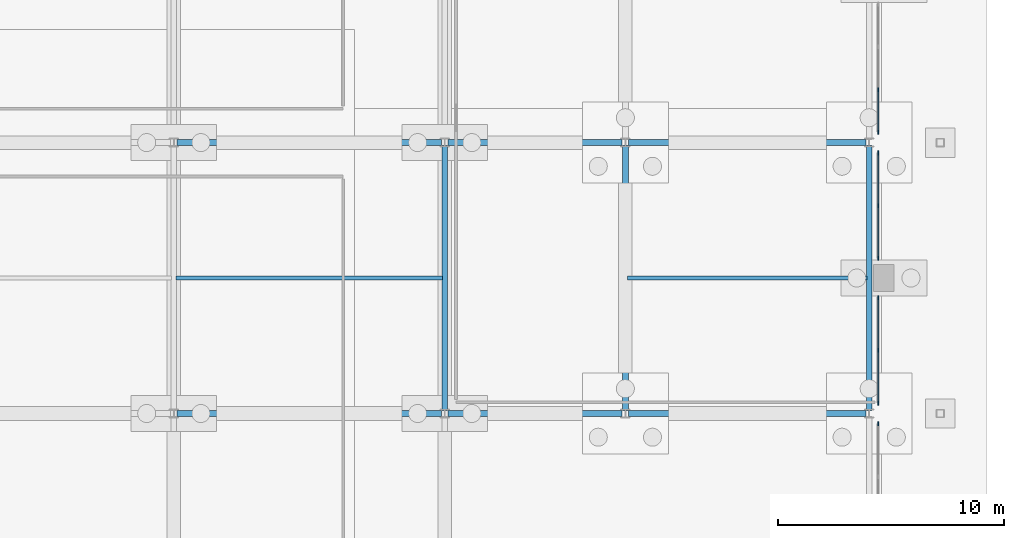
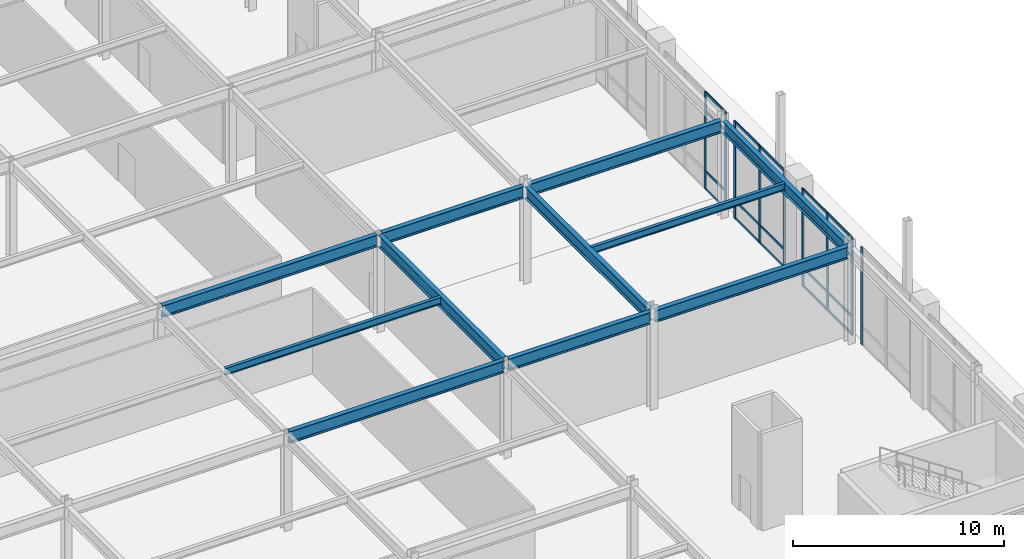
# One storey, part 65 of 143: 29 members, 11 beams, 4 elements without a shape of their own.
"""IFC4 building model written with IfcOpenShell, lengths in metres."""

from ifc_helpers import new_model, si_unit, derived_unit, direction, frame, origin, origin_2d, place, context, subcontext, project, spatial, rectangle, i_section, extrude, material, layer, layer_set, material_profile, profile_set, type_object, element, aggregate, save


model = new_model("IFC4")

# Units and contexts
model_context = context("Model", 3, precision=1e-05, world=origin(), true_north=direction((0.0, 1.0)))
body_context = subcontext(model_context, "Body", "Model", "MODEL_VIEW")
ifc_project = project(units=[si_unit("LENGTHUNIT", "METRE"), si_unit("AREAUNIT", "SQUARE_METRE"), si_unit("VOLUMEUNIT", "CUBIC_METRE"), si_unit("PLANEANGLEUNIT", "RADIAN"), si_unit("MASSUNIT", "GRAM", prefix="KILO"), derived_unit("THERMALTRANSMITTANCEUNIT", [(si_unit("MASSUNIT", "GRAM", prefix="KILO"), 1), (si_unit("TIMEUNIT", "SECOND"), -3), (si_unit("THERMODYNAMICTEMPERATUREUNIT", "KELVIN"), -1)])], contexts=[model_context])

# Site, building, storey
site_placement = place(None, origin())
site = spatial("IfcSite", under=ifc_project, at=site_placement, CompositionType="ELEMENT")
building_placement = place(site_placement, origin())
building = spatial("IfcBuilding", under=site, at=building_placement, Name="Valcora Ridge Arena", CompositionType="ELEMENT")
storey_placement = place(building_placement, origin())
storey = spatial("IfcBuildingStorey", under=building, at=storey_placement, Name="L00", CompositionType="ELEMENT", Elevation=0.0)

# Beams
ifc_material_1 = material(Name="Steel ASTM A572 Grade 50", Category="steel")
ifc_material_profile_1 = material_profile(ifc_material_1, i_section(OverallWidth=0.256103515625, OverallDepth=0.693115234375, WebThickness=0.014404296875, FlangeThickness=0.023681640625, FilletRadius=0.02001953125, at=origin_2d()), Name="W27X114")
ifc_profile_set_1 = profile_set([ifc_material_profile_1], Name="Steel ASTM A572 Grade 50")
beam_type_1 = type_object("IfcBeamType", Name="TY-BEAM-G-W27X114-X", PredefinedType="BEAM", material=ifc_profile_set_1)
beam_1_placement = place(storey_placement, frame((156.139892578125, 28.0, 5.2734375), z_axis=(1.0, 0.0, 0.0), x_axis=(0.0, 1.0, 0.0)))
element("IfcBeam", 1, at=beam_1_placement, inside=storey, type_object=beam_type_1, Name="G-W27X114-X BEM-G-W27X114-X-0006", PredefinedType="BEAM", context=body_context, shape_type="SweptSolid", body=[
    extrude(i_section(OverallWidth=0.256103515625, OverallDepth=0.693115234375, WebThickness=0.014404296875, FlangeThickness=0.023681640625, FilletRadius=0.02001953125, at=origin_2d()), origin(), (0.0, 0.0, 1.0), 11.72021484375),
])
beam_2_placement = place(storey_placement, frame((168.139892578125, 28.0, 5.2734375), z_axis=(1.0, 0.0, 0.0), x_axis=(0.0, 1.0, 0.0)))
element("IfcBeam", 2, at=beam_2_placement, inside=storey, type_object=beam_type_1, Name="G-W27X114-X BEM-G-W27X114-X-0007", PredefinedType="BEAM", context=body_context, shape_type="SweptSolid", body=[
    extrude(i_section(OverallWidth=0.256103515625, OverallDepth=0.693115234375, WebThickness=0.014404296875, FlangeThickness=0.023681640625, FilletRadius=0.02001953125, at=origin_2d()), origin(), (0.0, 0.0, 1.0), 7.72021484375),
])
beam_3_placement = place(storey_placement, frame((176.139892578125, 28.0, 5.2734375), z_axis=(1.0, 0.0, 0.0), x_axis=(0.0, 1.0, 0.0)))
element("IfcBeam", 3, at=beam_3_placement, inside=storey, type_object=beam_type_1, Name="G-W27X114-X BEM-G-W27X114-X-0008", PredefinedType="BEAM", context=body_context, shape_type="SweptSolid", body=[
    extrude(i_section(OverallWidth=0.256103515625, OverallDepth=0.693115234375, WebThickness=0.014404296875, FlangeThickness=0.023681640625, FilletRadius=0.02001953125, at=origin_2d()), origin(), (0.0, 0.0, 1.0), 10.52001953125),
])
beam_4_placement = place(storey_placement, frame((156.139892578125, 40.0, 5.2734375), z_axis=(1.0, 0.0, 0.0), x_axis=(0.0, 1.0, 0.0)))
element("IfcBeam", 4, at=beam_4_placement, inside=storey, type_object=beam_type_1, Name="G-W27X114-X BEM-G-W27X114-X-0011", PredefinedType="BEAM", context=body_context, shape_type="SweptSolid", body=[
    extrude(i_section(OverallWidth=0.256103515625, OverallDepth=0.693115234375, WebThickness=0.014404296875, FlangeThickness=0.023681640625, FilletRadius=0.02001953125, at=origin_2d()), origin(), (0.0, 0.0, 1.0), 11.72021484375),
])
beam_5_placement = place(storey_placement, frame((168.139892578125, 40.0, 5.2734375), z_axis=(1.0, 0.0, 0.0), x_axis=(0.0, 1.0, 0.0)))
element("IfcBeam", 5, at=beam_5_placement, inside=storey, type_object=beam_type_1, Name="G-W27X114-X BEM-G-W27X114-X-0012", PredefinedType="BEAM", context=body_context, shape_type="SweptSolid", body=[
    extrude(i_section(OverallWidth=0.256103515625, OverallDepth=0.693115234375, WebThickness=0.014404296875, FlangeThickness=0.023681640625, FilletRadius=0.02001953125, at=origin_2d()), origin(), (0.0, 0.0, 1.0), 7.72021484375),
])
beam_6_placement = place(storey_placement, frame((176.139892578125, 40.0, 5.2734375), z_axis=(1.0, 0.0, 0.0), x_axis=(0.0, 1.0, 0.0)))
element("IfcBeam", 6, at=beam_6_placement, inside=storey, type_object=beam_type_1, Name="G-W27X114-X BEM-G-W27X114-X-0013", PredefinedType="BEAM", context=body_context, shape_type="SweptSolid", body=[
    extrude(i_section(OverallWidth=0.256103515625, OverallDepth=0.693115234375, WebThickness=0.014404296875, FlangeThickness=0.023681640625, FilletRadius=0.02001953125, at=origin_2d()), origin(), (0.0, 0.0, 1.0), 10.52001953125),
])
ifc_material_profile_2 = material_profile(ifc_material_1, i_section(OverallWidth=0.256103515625, OverallDepth=0.693115234375, WebThickness=0.014404296875, FlangeThickness=0.023681640625, FilletRadius=0.02001953125, at=origin_2d()), Name="W27X114")
ifc_profile_set_2 = profile_set([ifc_material_profile_2], Name="Steel ASTM A572 Grade 50")
beam_type_2 = type_object("IfcBeamType", Name="TY-BEAM-G-W27X114-Y", PredefinedType="BEAM", material=ifc_profile_set_2)
for number, where, z_axis, x_axis, name in (
    (7, (168.0, 28.139892578125, 5.2734375), (0.0, 1.0, 0.0), (-1.0, 0.0, 0.0), "G-W27X114-Y BEM-G-W27X114-Y-0020"),
    (8, (176.0, 28.139892578125, 5.2734375), (0.0, 1.0, 0.0), (-1.0, 0.0, 0.0), "G-W27X114-Y BEM-G-W27X114-Y-0024"),
    (9, (186.800048828125, 28.139892578125, 5.2734375), (0.0, 1.0, 0.0), (-1.0, 0.0, 0.0), "G-W27X114-Y BEM-G-W27X114-Y-0030"),
):
    element("IfcBeam", number, at=place(storey_placement, frame(where, z_axis=z_axis, x_axis=x_axis)), inside=storey, type_object=beam_type_2, Name=name, PredefinedType="BEAM", context=body_context, shape_type="SweptSolid", body=[
        extrude(i_section(OverallWidth=0.256103515625, OverallDepth=0.693115234375, WebThickness=0.014404296875, FlangeThickness=0.023681640625, FilletRadius=0.02001953125, at=origin_2d()), origin(), (0.0, 0.0, 1.0), 11.72021484375),
    ])
ifc_material_profile_3 = material_profile(ifc_material_1, i_section(OverallWidth=0.177978515625, OverallDepth=0.406005859375, WebThickness=0.0078125, FlangeThickness=0.0126953125, FilletRadius=0.013916015625, at=origin_2d()), Name="W16X40")
ifc_profile_set_3 = profile_set([ifc_material_profile_3], Name="Steel ASTM A572 Grade 50")
beam_type_3 = type_object("IfcBeamType", Name="TY-BEAM-J-W16X40", PredefinedType="JOIST", material=ifc_profile_set_3)
beam_7_placement = place(storey_placement, frame((156.10009765625, 34.0, 5.4169921875), z_axis=(1.0, 0.0, 0.0), x_axis=(0.0, 1.0, 0.0)))
element("IfcBeam", 10, at=beam_7_placement, inside=storey, type_object=beam_type_3, Name="J-W16X40 BEM-J-W16X40-0008", PredefinedType="JOIST", context=body_context, shape_type="SweptSolid", body=[
    extrude(i_section(OverallWidth=0.177978515625, OverallDepth=0.406005859375, WebThickness=0.0078125, FlangeThickness=0.0126953125, FilletRadius=0.013916015625, at=origin_2d()), origin(), (0.0, 0.0, 1.0), 11.7998046875),
])
beam_8_placement = place(storey_placement, frame((176.10009765625, 34.0, 5.4169921875), z_axis=(1.0, 0.0, 0.0), x_axis=(0.0, 1.0, 0.0)))
element("IfcBeam", 11, at=beam_8_placement, inside=storey, type_object=beam_type_3, Name="J-W16X40 BEM-J-W16X40-0011", PredefinedType="JOIST", context=body_context, shape_type="SweptSolid", body=[
    extrude(i_section(OverallWidth=0.177978515625, OverallDepth=0.406005859375, WebThickness=0.0078125, FlangeThickness=0.0126953125, FilletRadius=0.013916015625, at=origin_2d()), origin(), (0.0, 0.0, 1.0), 10.599853515625),
])

# Curtain wall, member
ifc_material_2 = material(Name="Anodised dark bronze architectural aluminium 6063-T6", Category="aluminium")
ifc_layer_1 = layer(ifc_material_2, 0.179931640625, Name="Anodised dark bronze architectural aluminium 6063-T6")
ifc_layer_set_1 = layer_set([ifc_layer_1], Name="Anodised dark bronze architectural aluminium 6063-T6")
curtain_wall_type_1 = type_object("IfcCurtainWallType", Name="TY-CURTAINWALL-CW-V2-GLAZ-047X56", PredefinedType="NOTDEFINED", material=ifc_layer_set_1)
curtain_wall_1_placement = place(storey_placement, origin())
curtain_wall_1 = element("IfcCurtainWall", 12, at=curtain_wall_1_placement, inside=storey, type_object=curtain_wall_type_1, Name="CW-V2-GLAZ-047X56 CW-0029", PredefinedType="NOTDEFINED")
ifc_material_profile_4 = material_profile(ifc_material_2, rectangle(XDim=0.06005859375, YDim=0.179931640625, at=origin_2d()), Name="ALU MULLION 60x180")
ifc_profile_set_4 = profile_set([ifc_material_profile_4], Name="Anodised dark bronze architectural aluminium 6063-T6")
member_type_1 = type_object("IfcMemberType", Name="TY-MEM-CWM-60x180", PredefinedType="MULLION", material=ifc_profile_set_4)
member_1_placement = place(storey_placement, frame((187.199951171875, 27.537109375, 0.0), z_axis=(0.0, 0.0, 1.0), x_axis=(-1.0, 0.0, 0.0)))
member_1 = element("IfcMember", 13, at=member_1_placement, type_object=member_type_1, Name="CW-0029/CWM-60x180/M02", PredefinedType="MULLION", context=body_context, shape_type="SweptSolid", body=[
    extrude(rectangle(XDim=0.06005859375, YDim=0.179931640625, at=origin_2d()), origin(), (0.0, 0.0, 1.0), 5.6201171875),
])
aggregate(curtain_wall_1, [member_1])

# Curtain wall, members
curtain_wall_2_placement = place(storey_placement, origin())
curtain_wall_2 = element("IfcCurtainWall", 14, at=curtain_wall_2_placement, inside=storey, type_object=curtain_wall_type_1, Name="CW-V2-GLAZ-047X56 CW-0030", PredefinedType="NOTDEFINED")
member_2_placement = place(storey_placement, frame((187.199951171875, 28.462890625, 0.0), z_axis=(0.0, 0.0, 1.0), x_axis=(-1.0, 0.0, 0.0)))
member_2 = element("IfcMember", 15, at=member_2_placement, type_object=member_type_1, Name="CW-0030/CWM-60x180/M00", PredefinedType="MULLION", context=body_context, shape_type="SweptSolid", body=[
    extrude(rectangle(XDim=0.06005859375, YDim=0.179931640625, at=origin_2d()), origin(), (0.0, 0.0, 1.0), 5.6201171875),
])
member_3_placement = place(storey_placement, frame((187.199951171875, 30.79638671875, 0.0), z_axis=(0.0, 0.0, 1.0), x_axis=(-1.0, 0.0, 0.0)))
member_3 = element("IfcMember", 16, at=member_3_placement, type_object=member_type_1, Name="CW-0030/CWM-60x180/M01", PredefinedType="MULLION", context=body_context, shape_type="SweptSolid", body=[
    extrude(rectangle(XDim=0.06005859375, YDim=0.179931640625, at=origin_2d()), origin(), (0.0, 0.0, 1.0), 5.6201171875),
])
member_4_placement = place(storey_placement, frame((187.199951171875, 33.1298828125, 0.0), z_axis=(0.0, 0.0, 1.0), x_axis=(-1.0, 0.0, 0.0)))
member_4 = element("IfcMember", 17, at=member_4_placement, type_object=member_type_1, Name="CW-0030/CWM-60x180/M02", PredefinedType="MULLION", context=body_context, shape_type="SweptSolid", body=[
    extrude(rectangle(XDim=0.06005859375, YDim=0.179931640625, at=origin_2d()), origin(), (0.0, 0.0, 1.0), 5.6201171875),
])

curtain_wall_3_placement = place(storey_placement, origin())
curtain_wall_3 = element("IfcCurtainWall", 18, at=curtain_wall_3_placement, inside=storey, type_object=curtain_wall_type_1, Name="CW-V2-GLAZ-047X56 CW-0031", PredefinedType="NOTDEFINED")
member_5_placement = place(storey_placement, frame((187.199951171875, 34.8701171875, 0.0), z_axis=(0.0, 0.0, 1.0), x_axis=(-1.0, 0.0, 0.0)))
member_5 = element("IfcMember", 19, at=member_5_placement, type_object=member_type_1, Name="CW-0031/CWM-60x180/M00", PredefinedType="MULLION", context=body_context, shape_type="SweptSolid", body=[
    extrude(rectangle(XDim=0.06005859375, YDim=0.179931640625, at=origin_2d()), origin(), (0.0, 0.0, 1.0), 5.6201171875),
])
member_6_placement = place(storey_placement, frame((187.199951171875, 37.20361328125, 0.0), z_axis=(0.0, 0.0, 1.0), x_axis=(-1.0, 0.0, 0.0)))
member_6 = element("IfcMember", 20, at=member_6_placement, type_object=member_type_1, Name="CW-0031/CWM-60x180/M01", PredefinedType="MULLION", context=body_context, shape_type="SweptSolid", body=[
    extrude(rectangle(XDim=0.06005859375, YDim=0.179931640625, at=origin_2d()), origin(), (0.0, 0.0, 1.0), 5.6201171875),
])
member_7_placement = place(storey_placement, frame((187.199951171875, 39.537109375, 0.0), z_axis=(0.0, 0.0, 1.0), x_axis=(-1.0, 0.0, 0.0)))
member_7 = element("IfcMember", 21, at=member_7_placement, type_object=member_type_1, Name="CW-0031/CWM-60x180/M02", PredefinedType="MULLION", context=body_context, shape_type="SweptSolid", body=[
    extrude(rectangle(XDim=0.06005859375, YDim=0.179931640625, at=origin_2d()), origin(), (0.0, 0.0, 1.0), 5.6201171875),
])

ifc_layer_2 = layer(ifc_material_2, 0.179931640625, Name="Anodised dark bronze architectural aluminium 6063-T6")
ifc_layer_set_2 = layer_set([ifc_layer_2], Name="Anodised dark bronze architectural aluminium 6063-T6")
curtain_wall_type_2 = type_object("IfcCurtainWallType", Name="TY-CURTAINWALL-CW-V2-GLAZ-057X56", PredefinedType="NOTDEFINED", material=ifc_layer_set_2)
curtain_wall_4_placement = place(storey_placement, origin())
curtain_wall_4 = element("IfcCurtainWall", 22, at=curtain_wall_4_placement, inside=storey, type_object=curtain_wall_type_2, Name="CW-V2-GLAZ-057X56 CW-0032", PredefinedType="NOTDEFINED")
member_8_placement = place(storey_placement, frame((187.199951171875, 40.462890625, 0.0), z_axis=(0.0, 0.0, 1.0), x_axis=(-1.0, 0.0, 0.0)))
member_8 = element("IfcMember", 23, at=member_8_placement, type_object=member_type_1, Name="CW-0032/CWM-60x180/M00", PredefinedType="MULLION", context=body_context, shape_type="SweptSolid", body=[
    extrude(rectangle(XDim=0.06005859375, YDim=0.179931640625, at=origin_2d()), origin(), (0.0, 0.0, 1.0), 5.6201171875),
])
member_9_placement = place(storey_placement, frame((187.199951171875, 42.342041015625, 0.0), z_axis=(0.0, 0.0, 1.0), x_axis=(-1.0, 0.0, 0.0)))
member_9 = element("IfcMember", 24, at=member_9_placement, type_object=member_type_1, Name="CW-0032/CWM-60x180/M01", PredefinedType="MULLION", context=body_context, shape_type="SweptSolid", body=[
    extrude(rectangle(XDim=0.06005859375, YDim=0.179931640625, at=origin_2d()), origin(), (0.0, 0.0, 1.0), 5.6201171875),
])

# Member
ifc_material_profile_5 = material_profile(ifc_material_2, rectangle(XDim=0.050048828125, YDim=0.14990234375, at=origin_2d()), Name="ALU TRANSOM 50x150")
ifc_profile_set_5 = profile_set([ifc_material_profile_5], Name="Anodised dark bronze architectural aluminium 6063-T6")
member_type_2 = type_object("IfcMemberType", Name="TY-MEM-CWT-50x150", PredefinedType="USERDEFINED", material=ifc_profile_set_5)
member_10_placement = place(storey_placement, frame((187.199951171875, 28.492919921875, 0.02490234375), z_axis=(0.0, 1.0, 0.0), x_axis=(-1.0, 0.0, 0.0)))
member_10 = element("IfcMember", 25, at=member_10_placement, type_object=member_type_2, Name="CW-0030/CWT-50x150/T00-00", ObjectType="TRANSOM", PredefinedType="USERDEFINED", context=body_context, shape_type="SweptSolid", body=[
    extrude(rectangle(XDim=0.050048828125, YDim=0.14990234375, at=origin_2d()), origin(), (0.0, 0.0, 1.0), 2.274169921875),
])

member_11_placement = place(storey_placement, frame((187.199951171875, 28.492919921875, 1.050048828125), z_axis=(0.0, 1.0, 0.0), x_axis=(-1.0, 0.0, 0.0)))
member_11 = element("IfcMember", 26, at=member_11_placement, type_object=member_type_2, Name="CW-0030/CWT-50x150/T00-01", ObjectType="TRANSOM", PredefinedType="USERDEFINED", context=body_context, shape_type="SweptSolid", body=[
    extrude(rectangle(XDim=0.050048828125, YDim=0.14990234375, at=origin_2d()), origin(), (0.0, 0.0, 1.0), 2.274169921875),
])

member_12_placement = place(storey_placement, frame((187.199951171875, 28.492919921875, 4.52001953125), z_axis=(0.0, 1.0, 0.0), x_axis=(-1.0, 0.0, 0.0)))
member_12 = element("IfcMember", 27, at=member_12_placement, type_object=member_type_2, Name="CW-0030/CWT-50x150/T00-02", ObjectType="TRANSOM", PredefinedType="USERDEFINED", context=body_context, shape_type="SweptSolid", body=[
    extrude(rectangle(XDim=0.050048828125, YDim=0.14990234375, at=origin_2d()), origin(), (0.0, 0.0, 1.0), 2.274169921875),
])

member_13_placement = place(storey_placement, frame((187.199951171875, 28.492919921875, 5.594970703125), z_axis=(0.0, 1.0, 0.0), x_axis=(-1.0, 0.0, 0.0)))
member_13 = element("IfcMember", 28, at=member_13_placement, type_object=member_type_2, Name="CW-0030/CWT-50x150/T00-03", ObjectType="TRANSOM", PredefinedType="USERDEFINED", context=body_context, shape_type="SweptSolid", body=[
    extrude(rectangle(XDim=0.050048828125, YDim=0.14990234375, at=origin_2d()), origin(), (0.0, 0.0, 1.0), 2.274169921875),
])

member_14_placement = place(storey_placement, frame((187.199951171875, 30.825927734375, 0.02490234375), z_axis=(0.0, 1.0, 0.0), x_axis=(-1.0, 0.0, 0.0)))
member_14 = element("IfcMember", 29, at=member_14_placement, type_object=member_type_2, Name="CW-0030/CWT-50x150/T01-00", ObjectType="TRANSOM", PredefinedType="USERDEFINED", context=body_context, shape_type="SweptSolid", body=[
    extrude(rectangle(XDim=0.050048828125, YDim=0.14990234375, at=origin_2d()), origin(), (0.0, 0.0, 1.0), 2.274169921875),
])

member_15_placement = place(storey_placement, frame((187.199951171875, 30.825927734375, 1.050048828125), z_axis=(0.0, 1.0, 0.0), x_axis=(-1.0, 0.0, 0.0)))
member_15 = element("IfcMember", 30, at=member_15_placement, type_object=member_type_2, Name="CW-0030/CWT-50x150/T01-01", ObjectType="TRANSOM", PredefinedType="USERDEFINED", context=body_context, shape_type="SweptSolid", body=[
    extrude(rectangle(XDim=0.050048828125, YDim=0.14990234375, at=origin_2d()), origin(), (0.0, 0.0, 1.0), 2.274169921875),
])

member_16_placement = place(storey_placement, frame((187.199951171875, 30.825927734375, 4.52001953125), z_axis=(0.0, 1.0, 0.0), x_axis=(-1.0, 0.0, 0.0)))
member_16 = element("IfcMember", 31, at=member_16_placement, type_object=member_type_2, Name="CW-0030/CWT-50x150/T01-02", ObjectType="TRANSOM", PredefinedType="USERDEFINED", context=body_context, shape_type="SweptSolid", body=[
    extrude(rectangle(XDim=0.050048828125, YDim=0.14990234375, at=origin_2d()), origin(), (0.0, 0.0, 1.0), 2.274169921875),
])

member_17_placement = place(storey_placement, frame((187.199951171875, 30.825927734375, 5.594970703125), z_axis=(0.0, 1.0, 0.0), x_axis=(-1.0, 0.0, 0.0)))
member_17 = element("IfcMember", 32, at=member_17_placement, type_object=member_type_2, Name="CW-0030/CWT-50x150/T01-03", ObjectType="TRANSOM", PredefinedType="USERDEFINED", context=body_context, shape_type="SweptSolid", body=[
    extrude(rectangle(XDim=0.050048828125, YDim=0.14990234375, at=origin_2d()), origin(), (0.0, 0.0, 1.0), 2.274169921875),
])

aggregate(curtain_wall_2, [member_2, member_3, member_4, member_10, member_11, member_12, member_13, member_14, member_15, member_16, member_17])

member_18_placement = place(storey_placement, frame((187.199951171875, 34.89990234375, 0.02490234375), z_axis=(0.0, 1.0, 0.0), x_axis=(-1.0, 0.0, 0.0)))
member_18 = element("IfcMember", 33, at=member_18_placement, type_object=member_type_2, Name="CW-0031/CWT-50x150/T00-00", ObjectType="TRANSOM", PredefinedType="USERDEFINED", context=body_context, shape_type="SweptSolid", body=[
    extrude(rectangle(XDim=0.050048828125, YDim=0.14990234375, at=origin_2d()), origin(), (0.0, 0.0, 1.0), 2.274169921875),
])

member_19_placement = place(storey_placement, frame((187.199951171875, 34.89990234375, 1.050048828125), z_axis=(0.0, 1.0, 0.0), x_axis=(-1.0, 0.0, 0.0)))
member_19 = element("IfcMember", 34, at=member_19_placement, type_object=member_type_2, Name="CW-0031/CWT-50x150/T00-01", ObjectType="TRANSOM", PredefinedType="USERDEFINED", context=body_context, shape_type="SweptSolid", body=[
    extrude(rectangle(XDim=0.050048828125, YDim=0.14990234375, at=origin_2d()), origin(), (0.0, 0.0, 1.0), 2.274169921875),
])

member_20_placement = place(storey_placement, frame((187.199951171875, 34.89990234375, 4.52001953125), z_axis=(0.0, 1.0, 0.0), x_axis=(-1.0, 0.0, 0.0)))
member_20 = element("IfcMember", 35, at=member_20_placement, type_object=member_type_2, Name="CW-0031/CWT-50x150/T00-02", ObjectType="TRANSOM", PredefinedType="USERDEFINED", context=body_context, shape_type="SweptSolid", body=[
    extrude(rectangle(XDim=0.050048828125, YDim=0.14990234375, at=origin_2d()), origin(), (0.0, 0.0, 1.0), 2.274169921875),
])

member_21_placement = place(storey_placement, frame((187.199951171875, 34.89990234375, 5.594970703125), z_axis=(0.0, 1.0, 0.0), x_axis=(-1.0, 0.0, 0.0)))
member_21 = element("IfcMember", 36, at=member_21_placement, type_object=member_type_2, Name="CW-0031/CWT-50x150/T00-03", ObjectType="TRANSOM", PredefinedType="USERDEFINED", context=body_context, shape_type="SweptSolid", body=[
    extrude(rectangle(XDim=0.050048828125, YDim=0.14990234375, at=origin_2d()), origin(), (0.0, 0.0, 1.0), 2.274169921875),
])

member_22_placement = place(storey_placement, frame((187.199951171875, 37.23291015625, 0.02490234375), z_axis=(0.0, 1.0, 0.0), x_axis=(-1.0, 0.0, 0.0)))
member_22 = element("IfcMember", 37, at=member_22_placement, type_object=member_type_2, Name="CW-0031/CWT-50x150/T01-00", ObjectType="TRANSOM", PredefinedType="USERDEFINED", context=body_context, shape_type="SweptSolid", body=[
    extrude(rectangle(XDim=0.050048828125, YDim=0.14990234375, at=origin_2d()), origin(), (0.0, 0.0, 1.0), 2.274169921875),
])

member_23_placement = place(storey_placement, frame((187.199951171875, 37.23291015625, 1.050048828125), z_axis=(0.0, 1.0, 0.0), x_axis=(-1.0, 0.0, 0.0)))
member_23 = element("IfcMember", 38, at=member_23_placement, type_object=member_type_2, Name="CW-0031/CWT-50x150/T01-01", ObjectType="TRANSOM", PredefinedType="USERDEFINED", context=body_context, shape_type="SweptSolid", body=[
    extrude(rectangle(XDim=0.050048828125, YDim=0.14990234375, at=origin_2d()), origin(), (0.0, 0.0, 1.0), 2.274169921875),
])

member_24_placement = place(storey_placement, frame((187.199951171875, 37.23291015625, 4.52001953125), z_axis=(0.0, 1.0, 0.0), x_axis=(-1.0, 0.0, 0.0)))
member_24 = element("IfcMember", 39, at=member_24_placement, type_object=member_type_2, Name="CW-0031/CWT-50x150/T01-02", ObjectType="TRANSOM", PredefinedType="USERDEFINED", context=body_context, shape_type="SweptSolid", body=[
    extrude(rectangle(XDim=0.050048828125, YDim=0.14990234375, at=origin_2d()), origin(), (0.0, 0.0, 1.0), 2.274169921875),
])

member_25_placement = place(storey_placement, frame((187.199951171875, 37.23291015625, 5.594970703125), z_axis=(0.0, 1.0, 0.0), x_axis=(-1.0, 0.0, 0.0)))
member_25 = element("IfcMember", 40, at=member_25_placement, type_object=member_type_2, Name="CW-0031/CWT-50x150/T01-03", ObjectType="TRANSOM", PredefinedType="USERDEFINED", context=body_context, shape_type="SweptSolid", body=[
    extrude(rectangle(XDim=0.050048828125, YDim=0.14990234375, at=origin_2d()), origin(), (0.0, 0.0, 1.0), 2.274169921875),
])

aggregate(curtain_wall_3, [member_5, member_6, member_7, member_18, member_19, member_20, member_21, member_22, member_23, member_24, member_25])

member_26_placement = place(storey_placement, frame((187.199951171875, 40.492919921875, 0.02490234375), z_axis=(0.0, 1.0, 0.0), x_axis=(-1.0, 0.0, 0.0)))
member_26 = element("IfcMember", 41, at=member_26_placement, type_object=member_type_2, Name="CW-0032/CWT-50x150/T00-00", ObjectType="TRANSOM", PredefinedType="USERDEFINED", context=body_context, shape_type="SweptSolid", body=[
    extrude(rectangle(XDim=0.050048828125, YDim=0.14990234375, at=origin_2d()), origin(), (0.0, 0.0, 1.0), 1.819091796875),
])

member_27_placement = place(storey_placement, frame((187.199951171875, 40.492919921875, 1.050048828125), z_axis=(0.0, 1.0, 0.0), x_axis=(-1.0, 0.0, 0.0)))
member_27 = element("IfcMember", 42, at=member_27_placement, type_object=member_type_2, Name="CW-0032/CWT-50x150/T00-01", ObjectType="TRANSOM", PredefinedType="USERDEFINED", context=body_context, shape_type="SweptSolid", body=[
    extrude(rectangle(XDim=0.050048828125, YDim=0.14990234375, at=origin_2d()), origin(), (0.0, 0.0, 1.0), 1.819091796875),
])

member_28_placement = place(storey_placement, frame((187.199951171875, 40.492919921875, 4.52001953125), z_axis=(0.0, 1.0, 0.0), x_axis=(-1.0, 0.0, 0.0)))
member_28 = element("IfcMember", 43, at=member_28_placement, type_object=member_type_2, Name="CW-0032/CWT-50x150/T00-02", ObjectType="TRANSOM", PredefinedType="USERDEFINED", context=body_context, shape_type="SweptSolid", body=[
    extrude(rectangle(XDim=0.050048828125, YDim=0.14990234375, at=origin_2d()), origin(), (0.0, 0.0, 1.0), 1.819091796875),
])

member_29_placement = place(storey_placement, frame((187.199951171875, 40.492919921875, 5.594970703125), z_axis=(0.0, 1.0, 0.0), x_axis=(-1.0, 0.0, 0.0)))
member_29 = element("IfcMember", 44, at=member_29_placement, type_object=member_type_2, Name="CW-0032/CWT-50x150/T00-03", ObjectType="TRANSOM", PredefinedType="USERDEFINED", context=body_context, shape_type="SweptSolid", body=[
    extrude(rectangle(XDim=0.050048828125, YDim=0.14990234375, at=origin_2d()), origin(), (0.0, 0.0, 1.0), 1.819091796875),
])

aggregate(curtain_wall_4, [member_8, member_9, member_26, member_27, member_28, member_29])

save(model, "model.ifc")
